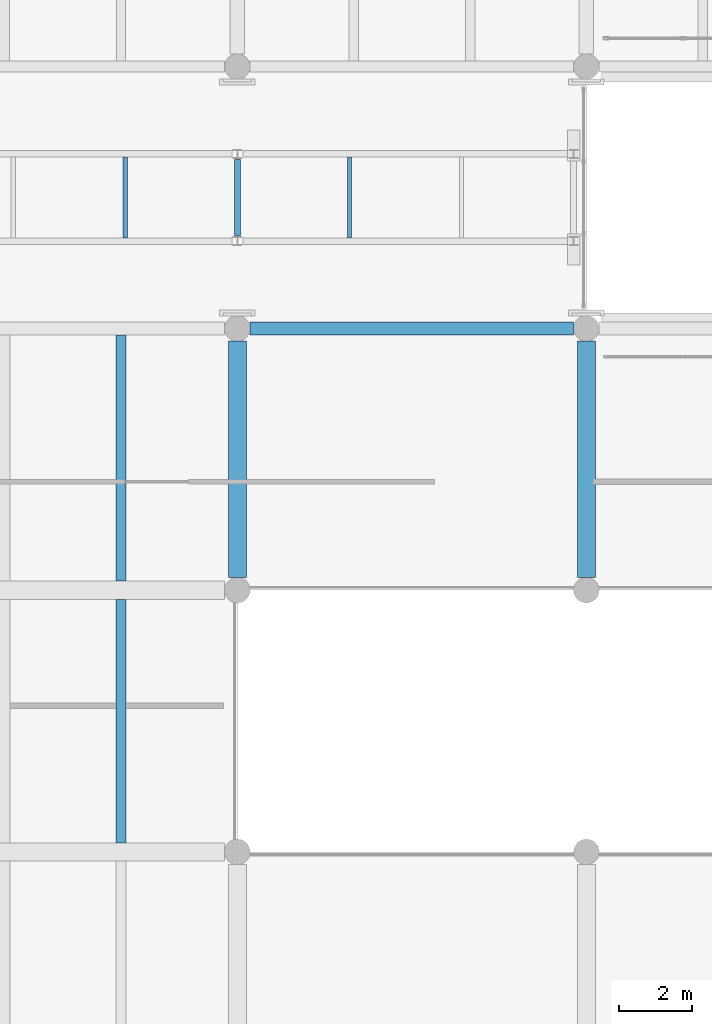
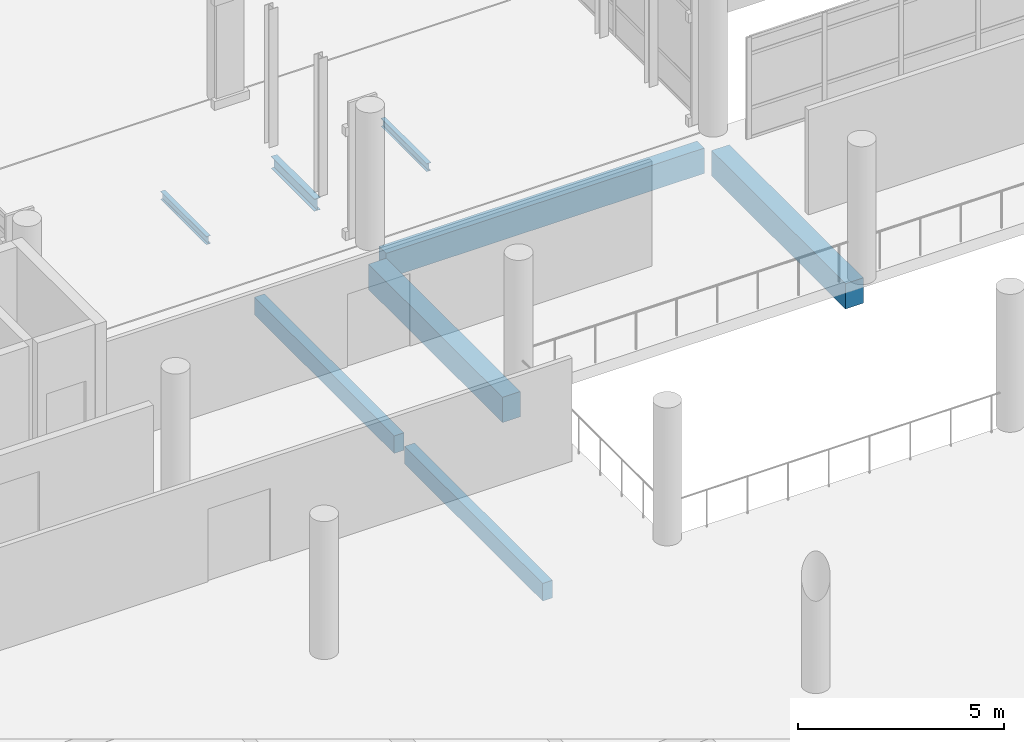
# One storey, part 19 of 180: 8 beams.
"""IFC4 building model written with IfcOpenShell, lengths in metres."""

from ifc_helpers import new_model, si_unit, direction, frame, origin, origin_2d, place, context, subcontext, project, spatial, rectangle, i_section, extrude, material, material_profile, profile_set, type_object, element, save


model = new_model("IFC4")

# Units and contexts
model_context = context("Model", 3, precision=1e-05, world=origin(), true_north=direction((0.0, 1.0)))
body_context = subcontext(model_context, "Body", "Model", "MODEL_VIEW")
ifc_project = project(units=[si_unit("LENGTHUNIT", "METRE"), si_unit("AREAUNIT", "SQUARE_METRE"), si_unit("VOLUMEUNIT", "CUBIC_METRE"), si_unit("PLANEANGLEUNIT", "RADIAN"), si_unit("MASSUNIT", "GRAM", prefix="KILO")], contexts=[model_context])

# Site, building, storey
site_placement = place(None, origin())
site = spatial("IfcSite", under=ifc_project, at=site_placement, CompositionType="ELEMENT")
building_placement = place(site_placement, origin())
building = spatial("IfcBuilding", under=site, at=building_placement, Name="Asteropetra Specialist Clinic", CompositionType="ELEMENT")
storey_placement = place(building_placement, frame((0.0, 0.0, 4.419921875)))
storey = spatial("IfcBuildingStorey", under=building, at=storey_placement, Name="L01", CompositionType="ELEMENT", Elevation=4.419921875)

# Beams
ifc_material_1 = material(Name="Concrete C35/45", Category="concrete")
ifc_material_profile_1 = material_profile(ifc_material_1, rectangle(XDim=0.5, YDim=0.75, at=origin_2d()), Name="RCB 500x750")
ifc_profile_set_1 = profile_set([ifc_material_profile_1], Name="Concrete C35/45")
beam_type_1 = type_object("IfcBeamType", Name="BM-RC500x750", PredefinedType="BEAM", material=ifc_profile_set_1)
for number, where, z_axis, x_axis, name in (
    (1, (19.199951171875, 19.550048828125, -0.71484375), (0.0, 1.0, 0.0), (-1.0, 0.0, 0.0), "Beam BBM04-0300"),
    (2, (28.800048828125, 19.550048828125, -0.71484375), (0.0, 1.0, 0.0), (-1.0, 0.0, 0.0), "Beam BBM04-0301"),
):
    element("IfcBeam", number, at=place(storey_placement, frame(where, z_axis=z_axis, x_axis=x_axis)), inside=storey, type_object=beam_type_1, Name=name, PredefinedType="BEAM", context=body_context, shape_type="SweptSolid", body=[
        extrude(rectangle(XDim=0.5, YDim=0.75, at=origin_2d()), origin(), (0.0, 0.0, 1.0), 6.5),
    ])
ifc_material_2 = material(Name="Steel S355", Category="steel")
ifc_material_profile_2 = material_profile(ifc_material_2, i_section(OverallWidth=0.169921875, OverallDepth=0.360107421875, WebThickness=0.008056640625, FlangeThickness=0.0126953125, FilletRadius=0.01806640625, at=origin_2d()), Name="IPE 360")
ifc_profile_set_2 = profile_set([ifc_material_profile_2], Name="Steel S355")
beam_type_2 = type_object("IfcBeamType", Name="BM-STL-IPE360", PredefinedType="BEAM", material=ifc_profile_set_2)
beam_1_placement = place(storey_placement, frame((19.199951171875, 28.949951171875, -0.419921875), z_axis=(0.0, 1.0, 0.0), x_axis=(-1.0, 0.0, 0.0)))
element("IfcBeam", 3, at=beam_1_placement, inside=storey, type_object=beam_type_2, Name="Beam BBMS4-0805", PredefinedType="BEAM", context=body_context, shape_type="SweptSolid", body=[
    extrude(i_section(OverallWidth=0.169921875, OverallDepth=0.360107421875, WebThickness=0.008056640625, FlangeThickness=0.0126953125, FilletRadius=0.01806640625, at=origin_2d()), origin(), (0.0, 0.0, 1.0), 2.10009765625),
])
ifc_material_3 = material(Name="Concrete C35/45", Category="concrete")
ifc_material_profile_3 = material_profile(ifc_material_3, rectangle(XDim=0.280029296875, YDim=0.52001953125, at=origin_2d()), Name="RCJ 280x520")
ifc_profile_set_3 = profile_set([ifc_material_profile_3], Name="Concrete C35/45")
beam_type_3 = type_object("IfcBeamType", Name="JST-RC280x520", PredefinedType="JOIST", material=ifc_profile_set_3)
beam_2_placement = place(storey_placement, frame((16.0, 12.25, -0.599853515625), z_axis=(0.0, 1.0, 0.0), x_axis=(-1.0, 0.0, 0.0)))
element("IfcBeam", 4, at=beam_2_placement, inside=storey, type_object=beam_type_3, Name="Joist JJST01-0293", PredefinedType="JOIST", context=body_context, shape_type="SweptSolid", body=[
    extrude(rectangle(XDim=0.280029296875, YDim=0.52001953125, at=origin_2d()), origin(), (0.0, 0.0, 1.0), 6.699951171875),
])
beam_3_placement = place(storey_placement, frame((16.0, 19.449951171875, -0.599853515625), z_axis=(0.0, 1.0, 0.0), x_axis=(-1.0, 0.0, 0.0)))
element("IfcBeam", 5, at=beam_3_placement, inside=storey, type_object=beam_type_3, Name="Joist JJST01-0306", PredefinedType="JOIST", context=body_context, shape_type="SweptSolid", body=[
    extrude(rectangle(XDim=0.280029296875, YDim=0.52001953125, at=origin_2d()), origin(), (0.0, 0.0, 1.0), 6.775146484375),
])
ifc_material_4 = material(Name="Steel S355", Category="steel")
ifc_material_profile_4 = material_profile(ifc_material_4, i_section(OverallWidth=0.1201171875, OverallDepth=0.239990234375, WebThickness=0.006103515625, FlangeThickness=0.009765625, FilletRadius=0.014892578125, at=origin_2d()), Name="IPE 240")
ifc_profile_set_4 = profile_set([ifc_material_profile_4], Name="Steel S355")
beam_type_4 = type_object("IfcBeamType", Name="JST-STL-IPE240", PredefinedType="JOIST", material=ifc_profile_set_4)
for number, where, z_axis, x_axis, name in (
    (6, (16.11669921875, 28.889892578125, -0.35986328125), (0.0, 1.0, 0.0), (-1.0, 0.0, 0.0), "Joist JJSTS1-0808"),
    (7, (22.283203125, 28.889892578125, -0.35986328125), (0.0, 1.0, 0.0), (-1.0, 0.0, 0.0), "Joist JJSTS1-0809"),
):
    element("IfcBeam", number, at=place(storey_placement, frame(where, z_axis=z_axis, x_axis=x_axis)), inside=storey, type_object=beam_type_4, Name=name, PredefinedType="JOIST", context=body_context, shape_type="SweptSolid", body=[
        extrude(i_section(OverallWidth=0.1201171875, OverallDepth=0.239990234375, WebThickness=0.006103515625, FlangeThickness=0.009765625, FilletRadius=0.014892578125, at=origin_2d()), origin(), (0.0, 0.0, 1.0), 2.22021484375),
    ])
ifc_material_5 = material(Name="Concrete C35/45", Category="concrete")
ifc_material_profile_5 = material_profile(ifc_material_5, rectangle(XDim=0.35009765625, YDim=0.75, at=origin_2d()), Name="RCS 350x750")
ifc_profile_set_5 = profile_set([ifc_material_profile_5], Name="Concrete C35/45")
beam_type_5 = type_object("IfcBeamType", Name="SPN-RC350x750", PredefinedType="SPANDREL", material=ifc_profile_set_5)
beam_4_placement = place(storey_placement, frame((19.550048828125, 26.39990234375, -0.71484375), z_axis=(1.0, 0.0, 0.0), x_axis=(0.0, 1.0, 0.0)))
element("IfcBeam", 8, at=beam_4_placement, inside=storey, type_object=beam_type_5, Name="Beam BSPN01-0248", PredefinedType="SPANDREL", context=body_context, shape_type="SweptSolid", body=[
    extrude(rectangle(XDim=0.35009765625, YDim=0.75, at=origin_2d()), origin(), (0.0, 0.0, 1.0), 8.89990234375),
])

save(model, "model.ifc")
